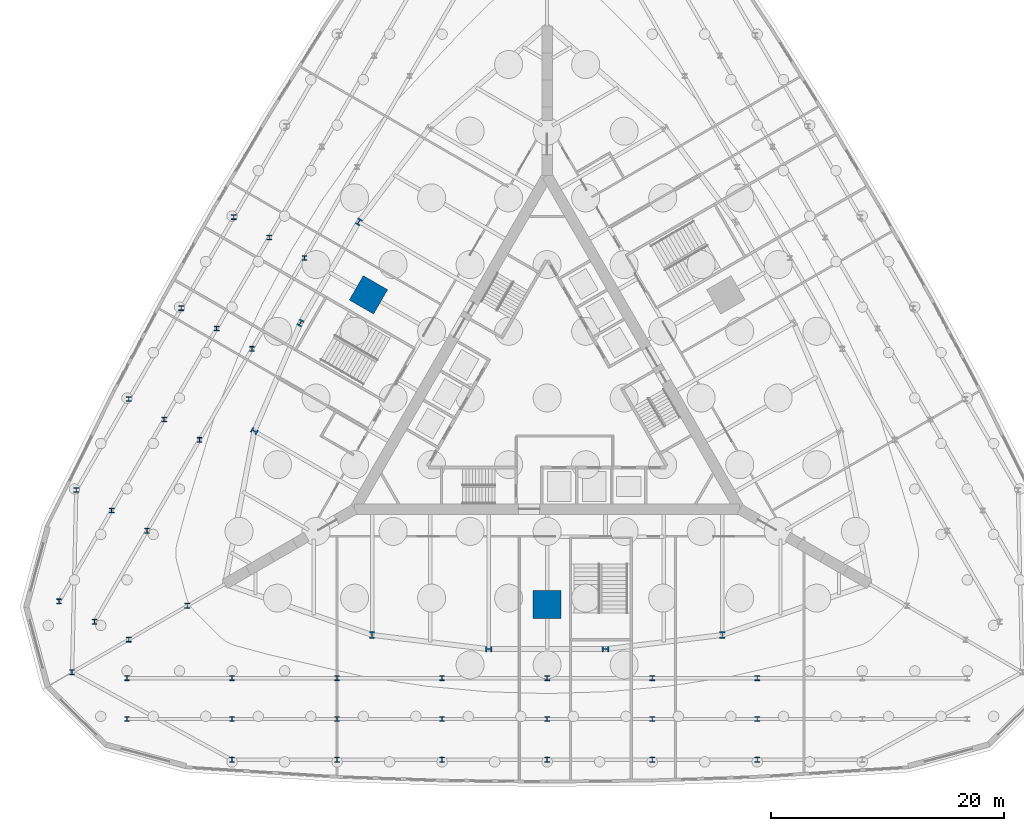
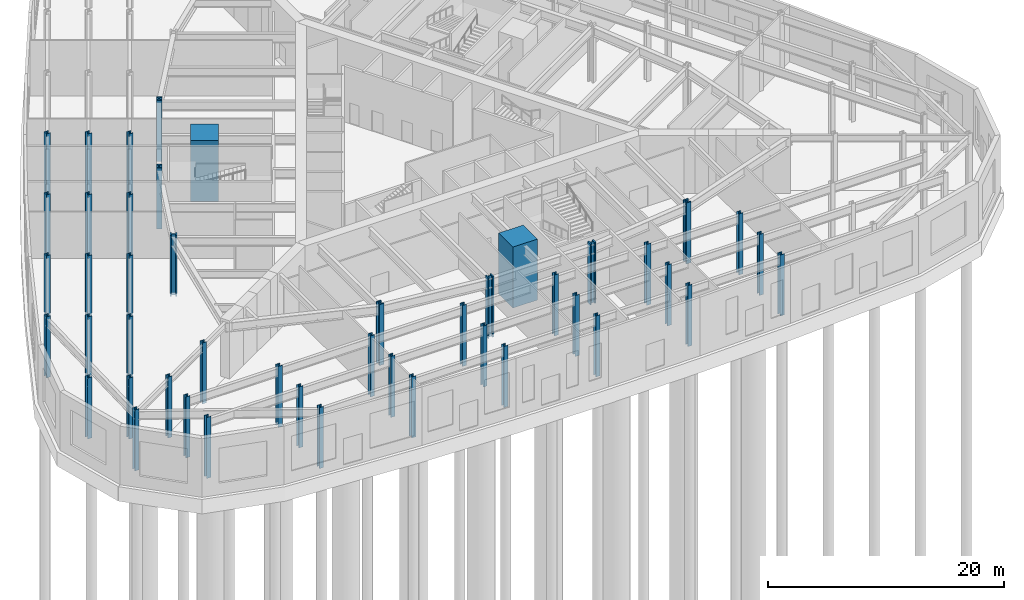
# One storey, part 3 of 17: 46 columns.
"""IFC4 building model written with IfcOpenShell, lengths in metres."""

import ifcopenshell
import ifcopenshell.guid

model = None  # the IFC model being written
_history = None  # IfcOwnerHistory: only IFC2X3 demands one
_inside = {}  # id of a spatial element -> (the spatial element, [elements in it])
_under = {}  # id of a project, library or spatial element -> (it, [spatial elements below it])
_declared = {}  # id of a project -> (the project, [libraries it declares])
_typed = {}  # id of a type object -> (the type object, [elements of that type])
_made_of = {}  # id of a material, layer set ... -> (it, [elements and type objects made of it])


def new_model(schema):
    """Start an empty IFC model of exactly this schema.

    Asked for "IFC4X3", IfcOpenShell would pick the latest addendum, in which some entities
    have other attributes; the version numbers below select the first issue.
    IFC2X3 requires an IfcOwnerHistory on every rooted entity: one is made here for all.
    """
    global model, _history
    if schema == "IFC4X3":
        model = ifcopenshell.file(schema_version=(4, 3, 0, 0))
    else:
        model = ifcopenshell.file(schema=schema)
    _inside.clear()
    _under.clear()
    _declared.clear()
    _typed.clear()
    _made_of.clear()
    _history = None
    if model.schema == "IFC2X3":
        org = make("IfcOrganization", Name="unknown")
        user = make(
            "IfcPersonAndOrganization",
            ThePerson=make("IfcPerson", FamilyName="unknown"),
            TheOrganization=org,
        )
        app = make(
            "IfcApplication",
            ApplicationDeveloper=org,
            Version="unknown",
            ApplicationFullName="unknown",
            ApplicationIdentifier="unknown",
        )
        _history = make(
            "IfcOwnerHistory",
            OwningUser=user,
            OwningApplication=app,
            ChangeAction="ADDED",
            CreationDate=0,
        )
    return model


def make(cls, **values):
    """One entity of the class cls with the attributes given. An attribute that is None is left unset."""
    return model.create_entity(
        cls, **{name: value for name, value in values.items() if value is not None}
    )


def rooted(cls, **values):
    """An entity with a GlobalId (a new one), such as an element, a storey or a relation."""
    return make(cls, GlobalId=ifcopenshell.guid.new(), OwnerHistory=_history, **values)


def si_unit(unit_type, name, prefix=None):
    """IfcSIUnit, for example si_unit("LENGTHUNIT", "METRE", prefix="MILLI")."""
    return make("IfcSIUnit", UnitType=unit_type, Prefix=prefix, Name=name)


def assignment(units):
    """IfcUnitAssignment: the units of a project."""
    return None if units is None else make("IfcUnitAssignment", Units=units)


def point(xyz):
    """IfcCartesianPoint."""
    return None if xyz is None else make("IfcCartesianPoint", Coordinates=xyz)


def direction(xyz):
    """IfcDirection."""
    return None if xyz is None else make("IfcDirection", DirectionRatios=xyz)


def frame(location, z_axis=None, x_axis=None):
    """IfcAxis2Placement3D, a coordinate frame: its origin and axes. An axis left out is left unset."""
    return make(
        "IfcAxis2Placement3D",
        Location=point(location),
        Axis=direction(z_axis),
        RefDirection=direction(x_axis),
    )


def frame_2d(location, x_axis=None):
    """IfcAxis2Placement2D, a coordinate frame in the plane: its origin and x axis."""
    return make(
        "IfcAxis2Placement2D", Location=point(location), RefDirection=direction(x_axis)
    )


def origin():
    """The frame at (0, 0, 0) with its axes left unset."""
    return frame((0.0, 0.0, 0.0))


def origin_2d():
    """The frame at (0, 0) in the plane with its x axis left unset."""
    return frame_2d((0.0, 0.0))


def place(relative_to, where):
    """IfcLocalPlacement: puts the frame where relative to a parent placement (None: the world)."""
    return make(
        "IfcLocalPlacement", PlacementRelTo=relative_to, RelativePlacement=where
    )


def context(
    kind, dimensions, precision=None, world=None, true_north=None, identifier=None
):
    """IfcGeometricRepresentationContext, for example the 3D "Model" context."""
    return make(
        "IfcGeometricRepresentationContext",
        ContextIdentifier=identifier,
        ContextType=kind,
        CoordinateSpaceDimension=dimensions,
        Precision=precision,
        WorldCoordinateSystem=world,
        TrueNorth=true_north,
    )


def subcontext(parent, identifier, kind, view, scale=None):
    """IfcGeometricRepresentationSubContext, for example "Body" below "Model"."""
    return make(
        "IfcGeometricRepresentationSubContext",
        ContextIdentifier=identifier,
        ContextType=kind,
        ParentContext=parent,
        TargetScale=scale,
        TargetView=view,
    )


def project(units=None, contexts=None):
    """IfcProject with its units and contexts."""
    return rooted(
        "IfcProject",
        Name="project",
        RepresentationContexts=contexts,
        UnitsInContext=assignment(units),
    )


def spatial(cls, under=None, at=None, **own):
    """A site, building, storey or space (cls), placed at a placement, below another one or the project."""
    s = rooted(cls, ObjectPlacement=at, **own)
    if under is not None:
        _under.setdefault(under.id(), (under, []))[1].append(s)
    return s


def profile(cls, at=None, kind="AREA", **sizes):
    """A parametric profile (cls). Its sizes go by their IFC names, for example OverallWidth=200.0."""
    return make(cls, ProfileType=kind, Position=at, **sizes)


def rectangle(**sizes):
    """IfcRectangleProfileDef."""
    return profile("IfcRectangleProfileDef", **sizes)


def i_section(**sizes):
    """IfcIShapeProfileDef."""
    return profile("IfcIShapeProfileDef", **sizes)


def extrude(swept, where, along, depth):
    """IfcExtrudedAreaSolid: the profile swept, set in the frame where, extruded along a direction by depth."""
    return make(
        "IfcExtrudedAreaSolid",
        SweptArea=swept,
        Position=where,
        ExtrudedDirection=direction(along),
        Depth=depth,
    )


def shape(context_of_items, identifier, shape_type, items):
    """IfcShapeRepresentation: the items that make up one representation, for example the "Body"."""
    return make(
        "IfcShapeRepresentation",
        ContextOfItems=context_of_items,
        RepresentationIdentifier=identifier,
        RepresentationType=shape_type,
        Items=items,
    )


def material(Name=None, Category=None):
    """IfcMaterial."""
    return make("IfcMaterial", Name=Name, Category=Category)


def material_profile(
    of_material, cross_section, Name=None, Category=None, Priority=None
):
    """IfcMaterialProfile: a cross section and its material."""
    return make(
        "IfcMaterialProfile",
        Name=Name,
        Material=of_material,
        Profile=cross_section,
        Priority=Priority,
        Category=Category,
    )


def profile_set(profiles, Name=None, composite=None):
    """IfcMaterialProfileSet."""
    return make(
        "IfcMaterialProfileSet",
        Name=Name,
        MaterialProfiles=profiles,
        CompositeProfile=composite,
    )


def made_of(thing, what):
    """Note that an element or type object is made of a material, layer set ...; save() writes the relation."""
    if what is not None:
        _made_of.setdefault(what.id(), (what, []))[1].append(thing)
    return thing


def type_object(cls, material=None, **own):
    """A type object (cls), such as IfcWallType, which elements share."""
    return made_of(rooted(cls, **own), material)


def element(
    cls,
    number,
    at=None,
    inside=None,
    cuts=None,
    type_object=None,
    material=None,
    context=None,
    identifier="Body",
    shape_type=None,
    held_by="IfcProductDefinitionShape",
    body=None,
    shapes=None,
    **own,
):
    """One element of the class cls, such as IfcWall. Its Tag is "e" and its number.

    at: its placement. inside: the storey or other place that contains it. cuts: it is an
    opening in that element (IfcRelVoidsElement). A single representation is given by context,
    identifier, shape_type and body (its items); several are given by shapes. held_by: the class
    of the entity that holds the representations. save() writes the other relations.
    """
    e = rooted(cls, Tag="e%d" % number, ObjectPlacement=at, **own)
    if body is not None:
        shapes = [shape(context, identifier, shape_type, body)]
    if shapes is not None:
        e.Representation = make(held_by, Representations=shapes)
    if inside is not None:
        _inside.setdefault(inside.id(), (inside, []))[1].append(e)
    if cuts is not None:
        rooted(
            "IfcRelVoidsElement", RelatingBuildingElement=cuts, RelatedOpeningElement=e
        )
    if type_object is not None:
        _typed.setdefault(type_object.id(), (type_object, []))[1].append(e)
    return made_of(e, material)


def aggregate(whole, parts):
    """IfcRelAggregates: a whole, such as a stair, and the parts it consists of."""
    return rooted("IfcRelAggregates", RelatingObject=whole, RelatedObjects=parts)


def save(model, path):
    """Write the relations noted so far, then the file.

    IfcRelAggregates (storeys below a building ...), IfcRelContainedInSpatialStructure (elements
    in a storey), IfcRelDefinesByType, IfcRelAssociatesMaterial and IfcRelDeclares: one each for
    every whole, place, type object, material and project.
    """
    for whole, parts in _under.values():
        aggregate(whole, parts)
    for where, things in _inside.values():
        rooted(
            "IfcRelContainedInSpatialStructure",
            RelatedElements=things,
            RelatingStructure=where,
        )
    for kind, things in _typed.values():
        rooted("IfcRelDefinesByType", RelatedObjects=things, RelatingType=kind)
    for what, things in _made_of.values():
        rooted("IfcRelAssociatesMaterial", RelatedObjects=things, RelatingMaterial=what)
    for by, libraries in _declared.values():
        rooted("IfcRelDeclares", RelatingContext=by, RelatedDefinitions=libraries)
    model.write(path)


model = new_model("IFC4")

# Units and contexts
model_context = context("Model", 3, precision=1e-05, world=origin(), true_north=direction((0.0, 1.0)))
body_context = subcontext(model_context, "Body", "Model", "MODEL_VIEW")
ifc_project = project(units=[si_unit("LENGTHUNIT", "METRE"), si_unit("AREAUNIT", "SQUARE_METRE"), si_unit("VOLUMEUNIT", "CUBIC_METRE"), si_unit("PLANEANGLEUNIT", "RADIAN"), si_unit("MASSUNIT", "GRAM", prefix="KILO")], contexts=[model_context])

# Site, building, storey
site_placement = place(None, origin())
site = spatial("IfcSite", under=ifc_project, at=site_placement, CompositionType="ELEMENT")
building_placement = place(site_placement, origin())
building = spatial("IfcBuilding", under=site, at=building_placement, Name="Trikona Tower", CompositionType="ELEMENT")
storey_placement = place(building_placement, origin())
storey = spatial("IfcBuildingStorey", under=building, at=storey_placement, Name="L00", CompositionType="ELEMENT", Elevation=0.0)

# Columns
ifc_material_1 = material(Name="Concrete f'c 10000 psi with encased steel section", Category="concrete")
ifc_material_profile_1 = material_profile(ifc_material_1, rectangle(XDim=2.39990234375, YDim=2.39990234375, at=origin_2d()), Name="MC2400")
ifc_profile_set_1 = profile_set([ifc_material_profile_1], Name="Concrete f'c 10000 psi with encased steel section")
column_type_1 = type_object("IfcColumnType", Name="Composite mega column 2400x2400", PredefinedType="COLUMN", material=ifc_profile_set_1)
for number, where, z_axis, x_axis, name in (
    (1, (0.0, -17.680419921875, -0.300048828125), (0.0, 0.0, 1.0), (0.0, -1.0, 0.0), "Mega column MC1"),
    (2, (-15.311767578125, 8.84033203125, -0.300048828125), (0.0, 0.0, 1.0), (-0.866025403784, 0.5, 0.0), "Mega column MC3"),
):
    element("IfcColumn", number, at=place(storey_placement, frame(where, z_axis=z_axis, x_axis=x_axis)), inside=storey, type_object=column_type_1, Name=name, PredefinedType="COLUMN", context=body_context, shape_type="SweptSolid", body=[
        extrude(rectangle(XDim=2.39990234375, YDim=2.39990234375, at=origin_2d()), origin(), (0.0, 0.0, 1.0), 6.300048828125),
    ])
ifc_material_2 = material(Name="Steel ASTM A992 Grade 50", Category="steel")
ifc_material_profile_2 = material_profile(ifc_material_2, i_section(OverallWidth=0.406494140625, OverallDepth=0.41650390625, WebThickness=0.030029296875, FlangeThickness=0.048095703125, at=origin_2d()), Name="W14X257")
ifc_profile_set_2 = profile_set([ifc_material_profile_2], Name="Steel ASTM A992 Grade 50")
column_type_2 = type_object("IfcColumnType", Name="Steel column W14x257", PredefinedType="COLUMN", material=ifc_profile_set_2)
for number, where, z_axis, x_axis, name in (
    (3, (-30.83056640625, -17.800048828125, -0.300048828125), (0.0, 0.0, 1.0), (1.0, 0.0, 0.0), "Column K2D35.6"),
    (4, (-35.853515625, -20.699951171875, -0.300048828125), (0.0, 0.0, 1.0), (1.0, 0.0, 0.0), "Column K2D41.4"),
    (5, (-40.703125, -23.5, -0.300048828125), (0.0, 0.0, 1.0), (1.0, 0.0, 0.0), "Column K2D47"),
    (6, (-18.0, -24.0, -0.300048828125), (0.0, 0.0, 1.0), (1.0, 0.0, 0.0), "Column R24F0m18"),
    (7, (-27.0, -24.0, -0.300048828125), (0.0, 0.0, 1.0), (1.0, 0.0, 0.0), "Column R24F0m27"),
    (8, (-36.0, -24.0, -0.300048828125), (0.0, 0.0, 1.0), (1.0, 0.0, 0.0), "Column R24F0m36"),
    (9, (-9.0, -24.0, -0.300048828125), (0.0, 0.0, 1.0), (1.0, 0.0, 0.0), "Column R24F0m9"),
    (10, (0.0, -24.0, -0.300048828125), (0.0, 0.0, 1.0), (1.0, 0.0, 0.0), "Column R24F0p0"),
    (11, (18.0, -24.0, -0.300048828125), (0.0, 0.0, 1.0), (1.0, 0.0, 0.0), "Column R24F0p18"),
    (12, (9.0, -24.0, -0.300048828125), (0.0, 0.0, 1.0), (1.0, 0.0, 0.0), "Column R24F0p9"),
    (13, (-20.78466796875, 12.0, -0.300048828125), (0.0, 0.0, 1.0), (1.0, 0.0, 0.0), "Column R24F2p0"),
    (14, (-29.78466796875, -3.58837890625, -0.300048828125), (0.0, 0.0, 1.0), (1.0, 0.0, 0.0), "Column R24F2p18"),
    (15, (-34.28466796875, -11.3828125, -0.300048828125), (0.0, 0.0, 1.0), (1.0, 0.0, 0.0), "Column R24F2p27"),
    (16, (-38.78466796875, -19.177001953125, -0.300048828125), (0.0, 0.0, 1.0), (1.0, 0.0, 0.0), "Column R24F2p36"),
    (17, (-25.28466796875, 4.205810546875, -0.300048828125), (0.0, 0.0, 1.0), (1.0, 0.0, 0.0), "Column R24F2p9"),
    (18, (-18.0, -27.5, -0.300048828125), (0.0, 0.0, 1.0), (1.0, 0.0, 0.0), "Column R27.5F0m18"),
    (19, (-27.0, -27.5, -0.300048828125), (0.0, 0.0, 1.0), (1.0, 0.0, 0.0), "Column R27.5F0m27"),
    (20, (-36.0, -27.5, -0.300048828125), (0.0, 0.0, 1.0), (1.0, 0.0, 0.0), "Column R27.5F0m36"),
    (21, (-9.0, -27.5, -0.300048828125), (0.0, 0.0, 1.0), (1.0, 0.0, 0.0), "Column R27.5F0m9"),
    (22, (0.0, -27.5, -0.300048828125), (0.0, 0.0, 1.0), (1.0, 0.0, 0.0), "Column R27.5F0p0"),
    (23, (18.0, -27.5, -0.300048828125), (0.0, 0.0, 1.0), (1.0, 0.0, 0.0), "Column R27.5F0p18"),
    (24, (9.0, -27.5, -0.300048828125), (0.0, 0.0, 1.0), (1.0, 0.0, 0.0), "Column R27.5F0p9"),
    (25, (-23.815673828125, 13.75, -0.300048828125), (0.0, 0.0, 1.0), (1.0, 0.0, 0.0), "Column R27.5F2p0"),
    (26, (-32.815673828125, -1.83837890625, -0.300048828125), (0.0, 0.0, 1.0), (1.0, 0.0, 0.0), "Column R27.5F2p18"),
    (27, (-37.315673828125, -9.6328125, -0.300048828125), (0.0, 0.0, 1.0), (1.0, 0.0, 0.0), "Column R27.5F2p27"),
    (28, (-41.815673828125, -17.427001953125, -0.300048828125), (0.0, 0.0, 1.0), (1.0, 0.0, 0.0), "Column R27.5F2p36"),
    (29, (-28.315673828125, 5.955810546875, -0.300048828125), (0.0, 0.0, 1.0), (1.0, 0.0, 0.0), "Column R27.5F2p9"),
    (30, (-18.0, -31.0, -0.300048828125), (0.0, 0.0, 1.0), (1.0, 0.0, 0.0), "Column R31F0m18"),
    (31, (-27.0, -31.0, -0.300048828125), (0.0, 0.0, 1.0), (1.0, 0.0, 0.0), "Column R31F0m27"),
    (32, (-9.0, -31.0, -0.300048828125), (0.0, 0.0, 1.0), (1.0, 0.0, 0.0), "Column R31F0m9"),
    (33, (0.0, -31.0, -0.300048828125), (0.0, 0.0, 1.0), (1.0, 0.0, 0.0), "Column R31F0p0"),
    (34, (18.0, -31.0, -0.300048828125), (0.0, 0.0, 1.0), (1.0, 0.0, 0.0), "Column R31F0p18"),
    (35, (9.0, -31.0, -0.300048828125), (0.0, 0.0, 1.0), (1.0, 0.0, 0.0), "Column R31F0p9"),
    (36, (-26.8466796875, 15.5, -0.300048828125), (0.0, 0.0, 1.0), (1.0, 0.0, 0.0), "Column R31F2p0"),
    (37, (-35.8466796875, -0.08837890625, -0.300048828125), (0.0, 0.0, 1.0), (1.0, 0.0, 0.0), "Column R31F2p18"),
    (38, (-40.3466796875, -7.8828125, -0.300048828125), (0.0, 0.0, 1.0), (1.0, 0.0, 0.0), "Column R31F2p27"),
    (39, (-31.3466796875, 7.705810546875, -0.300048828125), (0.0, 0.0, 1.0), (1.0, 0.0, 0.0), "Column R31F2p9"),
):
    element("IfcColumn", number, at=place(storey_placement, frame(where, z_axis=z_axis, x_axis=x_axis)), inside=storey, type_object=column_type_2, Name=name, PredefinedType="COLUMN", context=body_context, shape_type="SweptSolid", body=[
        extrude(i_section(OverallWidth=0.406494140625, OverallDepth=0.41650390625, WebThickness=0.030029296875, FlangeThickness=0.048095703125, at=origin_2d()), origin(), (0.0, 0.0, 1.0), 6.300048828125),
    ])
ifc_material_3 = material(Name="Steel ASTM A992 Grade 50", Category="steel")
ifc_material_profile_3 = material_profile(ifc_material_3, i_section(OverallWidth=0.45458984375, OverallDepth=0.56884765625, WebThickness=0.077880859375, FlangeThickness=0.124755859375, at=origin_2d()), Name="W14X730")
ifc_profile_set_3 = profile_set([ifc_material_profile_3], Name="Steel ASTM A992 Grade 50")
column_type_3 = type_object("IfcColumnType", Name="Steel column W14x730", PredefinedType="COLUMN", material=ifc_profile_set_3)
for number, where, z_axis, x_axis, name in (
    (40, (-15.0, -20.302978515625, -0.300048828125), (0.0, 0.0, 1.0), (1.0, 0.0, 0.0), "Column F0m15"),
    (41, (-5.0, -21.5205078125, -0.300048828125), (0.0, 0.0, 1.0), (0.0, -1.0, 0.0), "Column F0m5"),
    (42, (5.0, -21.5205078125, -0.300048828125), (0.0, 0.0, 1.0), (0.0, -1.0, 0.0), "Column F0p5"),
    (43, (15.0, -20.302978515625, -0.300048828125), (0.0, 0.0, 1.0), (1.0, 0.0, 0.0), "Column F0p15"),
    (44, (-16.13720703125, 15.09033203125, -0.300048828125), (0.0, 0.0, 1.0), (-0.866025403784, 0.5, 0.0), "Column F2m5"),
    (45, (-21.13720703125, 6.43017578125, -0.300048828125), (0.0, 0.0, 1.0), (-0.866025403784, 0.5, 0.0), "Column F2p5"),
    (46, (-25.0830078125, -2.8388671875, -0.300048828125), (0.0, 0.0, 1.0), (-0.5, -0.866025403784, 0.0), "Column F2p15"),
):
    element("IfcColumn", number, at=place(storey_placement, frame(where, z_axis=z_axis, x_axis=x_axis)), inside=storey, type_object=column_type_3, Name=name, PredefinedType="COLUMN", context=body_context, shape_type="SweptSolid", body=[
        extrude(i_section(OverallWidth=0.45458984375, OverallDepth=0.56884765625, WebThickness=0.077880859375, FlangeThickness=0.124755859375, at=origin_2d()), origin(), (0.0, 0.0, 1.0), 6.300048828125),
    ])

save(model, "model.ifc")
